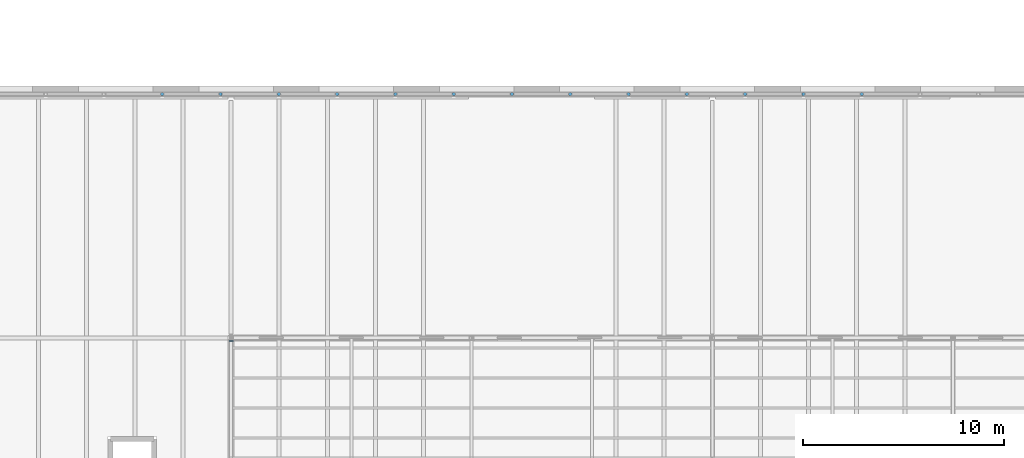
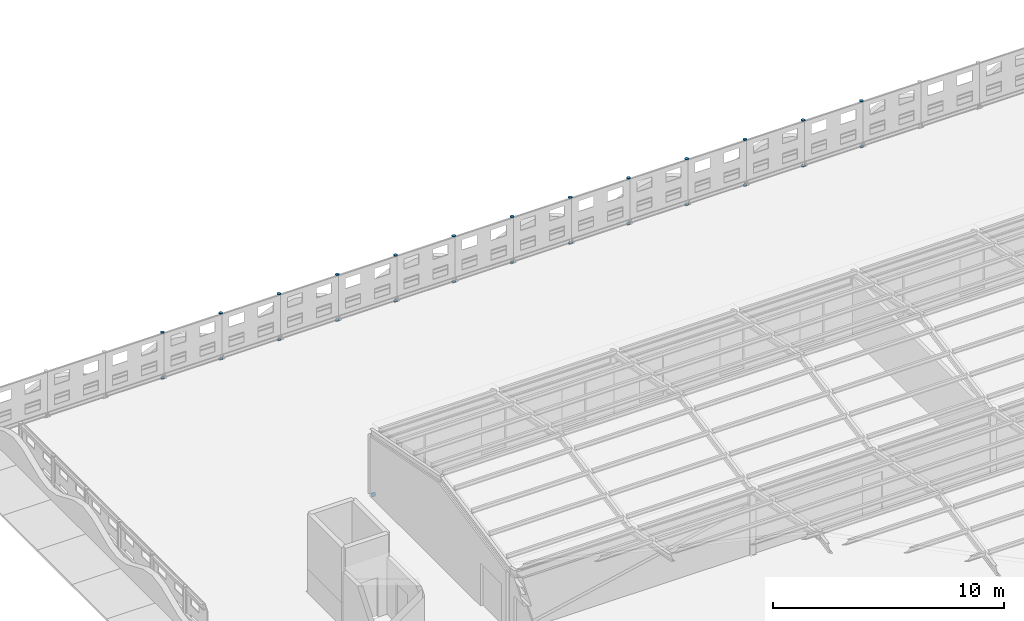
# One storey, part 78 of 91: 27 discrete accessories.
"""IFC4 building model written with IfcOpenShell, lengths in metres."""

import ifcopenshell
import ifcopenshell.guid

model = None  # the IFC model being written
_history = None  # IfcOwnerHistory: only IFC2X3 demands one
_inside = {}  # id of a spatial element -> (the spatial element, [elements in it])
_under = {}  # id of a project, library or spatial element -> (it, [spatial elements below it])
_declared = {}  # id of a project -> (the project, [libraries it declares])
_typed = {}  # id of a type object -> (the type object, [elements of that type])
_made_of = {}  # id of a material, layer set ... -> (it, [elements and type objects made of it])


def new_model(schema):
    """Start an empty IFC model of exactly this schema.

    Asked for "IFC4X3", IfcOpenShell would pick the latest addendum, in which some entities
    have other attributes; the version numbers below select the first issue.
    IFC2X3 requires an IfcOwnerHistory on every rooted entity: one is made here for all.
    """
    global model, _history
    if schema == "IFC4X3":
        model = ifcopenshell.file(schema_version=(4, 3, 0, 0))
    else:
        model = ifcopenshell.file(schema=schema)
    _inside.clear()
    _under.clear()
    _declared.clear()
    _typed.clear()
    _made_of.clear()
    _history = None
    if model.schema == "IFC2X3":
        org = make("IfcOrganization", Name="unknown")
        user = make(
            "IfcPersonAndOrganization",
            ThePerson=make("IfcPerson", FamilyName="unknown"),
            TheOrganization=org,
        )
        app = make(
            "IfcApplication",
            ApplicationDeveloper=org,
            Version="unknown",
            ApplicationFullName="unknown",
            ApplicationIdentifier="unknown",
        )
        _history = make(
            "IfcOwnerHistory",
            OwningUser=user,
            OwningApplication=app,
            ChangeAction="ADDED",
            CreationDate=0,
        )
    return model


def make(cls, **values):
    """One entity of the class cls with the attributes given. An attribute that is None is left unset."""
    return model.create_entity(
        cls, **{name: value for name, value in values.items() if value is not None}
    )


def rooted(cls, **values):
    """An entity with a GlobalId (a new one), such as an element, a storey or a relation."""
    return make(cls, GlobalId=ifcopenshell.guid.new(), OwnerHistory=_history, **values)


def si_unit(unit_type, name, prefix=None):
    """IfcSIUnit, for example si_unit("LENGTHUNIT", "METRE", prefix="MILLI")."""
    return make("IfcSIUnit", UnitType=unit_type, Prefix=prefix, Name=name)


def assignment(units):
    """IfcUnitAssignment: the units of a project."""
    return None if units is None else make("IfcUnitAssignment", Units=units)


def point(xyz):
    """IfcCartesianPoint."""
    return None if xyz is None else make("IfcCartesianPoint", Coordinates=xyz)


def direction(xyz):
    """IfcDirection."""
    return None if xyz is None else make("IfcDirection", DirectionRatios=xyz)


def frame(location, z_axis=None, x_axis=None):
    """IfcAxis2Placement3D, a coordinate frame: its origin and axes. An axis left out is left unset."""
    return make(
        "IfcAxis2Placement3D",
        Location=point(location),
        Axis=direction(z_axis),
        RefDirection=direction(x_axis),
    )


def frame_2d(location, x_axis=None):
    """IfcAxis2Placement2D, a coordinate frame in the plane: its origin and x axis."""
    return make(
        "IfcAxis2Placement2D", Location=point(location), RefDirection=direction(x_axis)
    )


def origin():
    """The frame at (0, 0, 0) with its axes left unset."""
    return frame((0.0, 0.0, 0.0))


def origin_2d():
    """The frame at (0, 0) in the plane with its x axis left unset."""
    return frame_2d((0.0, 0.0))


def place(relative_to, where):
    """IfcLocalPlacement: puts the frame where relative to a parent placement (None: the world)."""
    return make(
        "IfcLocalPlacement", PlacementRelTo=relative_to, RelativePlacement=where
    )


def context(
    kind, dimensions, precision=None, world=None, true_north=None, identifier=None
):
    """IfcGeometricRepresentationContext, for example the 3D "Model" context."""
    return make(
        "IfcGeometricRepresentationContext",
        ContextIdentifier=identifier,
        ContextType=kind,
        CoordinateSpaceDimension=dimensions,
        Precision=precision,
        WorldCoordinateSystem=world,
        TrueNorth=true_north,
    )


def subcontext(parent, identifier, kind, view, scale=None):
    """IfcGeometricRepresentationSubContext, for example "Body" below "Model"."""
    return make(
        "IfcGeometricRepresentationSubContext",
        ContextIdentifier=identifier,
        ContextType=kind,
        ParentContext=parent,
        TargetScale=scale,
        TargetView=view,
    )


def project(units=None, contexts=None):
    """IfcProject with its units and contexts."""
    return rooted(
        "IfcProject",
        Name="project",
        RepresentationContexts=contexts,
        UnitsInContext=assignment(units),
    )


def spatial(cls, under=None, at=None, **own):
    """A site, building, storey or space (cls), placed at a placement, below another one or the project."""
    s = rooted(cls, ObjectPlacement=at, **own)
    if under is not None:
        _under.setdefault(under.id(), (under, []))[1].append(s)
    return s


def profile(cls, at=None, kind="AREA", **sizes):
    """A parametric profile (cls). Its sizes go by their IFC names, for example OverallWidth=200.0."""
    return make(cls, ProfileType=kind, Position=at, **sizes)


def rectangle(**sizes):
    """IfcRectangleProfileDef."""
    return profile("IfcRectangleProfileDef", **sizes)


def circle(**sizes):
    """IfcCircleProfileDef."""
    return profile("IfcCircleProfileDef", **sizes)


def extrude(swept, where, along, depth):
    """IfcExtrudedAreaSolid: the profile swept, set in the frame where, extruded along a direction by depth."""
    return make(
        "IfcExtrudedAreaSolid",
        SweptArea=swept,
        Position=where,
        ExtrudedDirection=direction(along),
        Depth=depth,
    )


def shape(context_of_items, identifier, shape_type, items):
    """IfcShapeRepresentation: the items that make up one representation, for example the "Body"."""
    return make(
        "IfcShapeRepresentation",
        ContextOfItems=context_of_items,
        RepresentationIdentifier=identifier,
        RepresentationType=shape_type,
        Items=items,
    )


def material(Name=None, Category=None):
    """IfcMaterial."""
    return make("IfcMaterial", Name=Name, Category=Category)


def material_profile(
    of_material, cross_section, Name=None, Category=None, Priority=None
):
    """IfcMaterialProfile: a cross section and its material."""
    return make(
        "IfcMaterialProfile",
        Name=Name,
        Material=of_material,
        Profile=cross_section,
        Priority=Priority,
        Category=Category,
    )


def profile_set(profiles, Name=None, composite=None):
    """IfcMaterialProfileSet."""
    return make(
        "IfcMaterialProfileSet",
        Name=Name,
        MaterialProfiles=profiles,
        CompositeProfile=composite,
    )


def made_of(thing, what):
    """Note that an element or type object is made of a material, layer set ...; save() writes the relation."""
    if what is not None:
        _made_of.setdefault(what.id(), (what, []))[1].append(thing)
    return thing


def type_object(cls, material=None, **own):
    """A type object (cls), such as IfcWallType, which elements share."""
    return made_of(rooted(cls, **own), material)


def element(
    cls,
    number,
    at=None,
    inside=None,
    cuts=None,
    type_object=None,
    material=None,
    context=None,
    identifier="Body",
    shape_type=None,
    held_by="IfcProductDefinitionShape",
    body=None,
    shapes=None,
    **own,
):
    """One element of the class cls, such as IfcWall. Its Tag is "e" and its number.

    at: its placement. inside: the storey or other place that contains it. cuts: it is an
    opening in that element (IfcRelVoidsElement). A single representation is given by context,
    identifier, shape_type and body (its items); several are given by shapes. held_by: the class
    of the entity that holds the representations. save() writes the other relations.
    """
    e = rooted(cls, Tag="e%d" % number, ObjectPlacement=at, **own)
    if body is not None:
        shapes = [shape(context, identifier, shape_type, body)]
    if shapes is not None:
        e.Representation = make(held_by, Representations=shapes)
    if inside is not None:
        _inside.setdefault(inside.id(), (inside, []))[1].append(e)
    if cuts is not None:
        rooted(
            "IfcRelVoidsElement", RelatingBuildingElement=cuts, RelatedOpeningElement=e
        )
    if type_object is not None:
        _typed.setdefault(type_object.id(), (type_object, []))[1].append(e)
    return made_of(e, material)


def aggregate(whole, parts):
    """IfcRelAggregates: a whole, such as a stair, and the parts it consists of."""
    return rooted("IfcRelAggregates", RelatingObject=whole, RelatedObjects=parts)


def save(model, path):
    """Write the relations noted so far, then the file.

    IfcRelAggregates (storeys below a building ...), IfcRelContainedInSpatialStructure (elements
    in a storey), IfcRelDefinesByType, IfcRelAssociatesMaterial and IfcRelDeclares: one each for
    every whole, place, type object, material and project.
    """
    for whole, parts in _under.values():
        aggregate(whole, parts)
    for where, things in _inside.values():
        rooted(
            "IfcRelContainedInSpatialStructure",
            RelatedElements=things,
            RelatingStructure=where,
        )
    for kind, things in _typed.values():
        rooted("IfcRelDefinesByType", RelatedObjects=things, RelatingType=kind)
    for what, things in _made_of.values():
        rooted("IfcRelAssociatesMaterial", RelatedObjects=things, RelatingMaterial=what)
    for by, libraries in _declared.values():
        rooted("IfcRelDeclares", RelatingContext=by, RelatedDefinitions=libraries)
    model.write(path)


model = new_model("IFC4")

# Units and contexts
model_context = context("Model", 3, precision=1e-05, world=origin(), true_north=direction((0.0, 1.0)))
body_context = subcontext(model_context, "Body", "Model", "MODEL_VIEW")
ifc_project = project(units=[si_unit("LENGTHUNIT", "METRE"), si_unit("AREAUNIT", "SQUARE_METRE"), si_unit("VOLUMEUNIT", "CUBIC_METRE"), si_unit("PLANEANGLEUNIT", "RADIAN"), si_unit("MASSUNIT", "GRAM", prefix="KILO")], contexts=[model_context])

# Site, building, storey
site_placement = place(None, origin())
site = spatial("IfcSite", under=ifc_project, at=site_placement, CompositionType="ELEMENT")
building_placement = place(site_placement, origin())
building = spatial("IfcBuilding", under=site, at=building_placement, Name="Ravi Spectrum Wholesale Market", CompositionType="ELEMENT")
storey_placement = place(building_placement, frame((0.0, 0.0, 16.199951171875)))
storey = spatial("IfcBuildingStorey", under=building, at=storey_placement, Name="ROOF PLANT LEVEL", CompositionType="ELEMENT", Elevation=16.199951171875)

# Discrete accessories
ifc_material_1 = material(Name="Steel S355", Category="steel")
ifc_material_profile_1 = material_profile(ifc_material_1, circle(Radius=0.084228515625, at=origin_2d()))
ifc_profile_set_1 = profile_set([ifc_material_profile_1], Name="Steel S355")
discrete_accessory_type_1 = type_object("IfcDiscreteAccessoryType", Name="End plate CHS 168.3x6.3", PredefinedType="BRACKET", material=ifc_profile_set_1)
for number, where, z_axis, x_axis, name in (
    (1, (241.453369140625, 66.14990234375, 0.0), (0.0, 0.0, -1.0), (1.0, 0.0, 0.0), "End plate"),
    (2, (241.453369140625, 66.14990234375, 2.400146484375), (0.0, 0.0, 1.0), (1.0, 0.0, 0.0), "End plate"),
    (3, (238.546630859375, 66.14990234375, 0.0), (0.0, 0.0, -1.0), (1.0, 0.0, 0.0), "End plate"),
    (4, (238.546630859375, 66.14990234375, 2.400146484375), (0.0, 0.0, 1.0), (1.0, 0.0, 0.0), "End plate"),
    (5, (235.6396484375, 66.14990234375, 0.0), (0.0, 0.0, -1.0), (1.0, 0.0, 0.0), "End plate"),
    (6, (235.6396484375, 66.14990234375, 2.400146484375), (0.0, 0.0, 1.0), (1.0, 0.0, 0.0), "End plate"),
    (7, (232.732666015625, 66.14990234375, 0.0), (0.0, 0.0, -1.0), (1.0, 0.0, 0.0), "End plate"),
    (8, (232.732666015625, 66.14990234375, 2.400146484375), (0.0, 0.0, 1.0), (1.0, 0.0, 0.0), "End plate"),
    (9, (229.825927734375, 66.14990234375, 0.0), (0.0, 0.0, -1.0), (1.0, 0.0, 0.0), "End plate"),
    (10, (229.825927734375, 66.14990234375, 2.400146484375), (0.0, 0.0, 1.0), (1.0, 0.0, 0.0), "End plate"),
    (11, (226.9189453125, 66.14990234375, 0.0), (0.0, 0.0, -1.0), (1.0, 0.0, 0.0), "End plate"),
    (12, (226.9189453125, 66.14990234375, 2.400146484375), (0.0, 0.0, 1.0), (1.0, 0.0, 0.0), "End plate"),
    (13, (224.011962890625, 66.14990234375, 0.0), (0.0, 0.0, -1.0), (1.0, 0.0, 0.0), "End plate"),
    (14, (224.011962890625, 66.14990234375, 2.400146484375), (0.0, 0.0, 1.0), (1.0, 0.0, 0.0), "End plate"),
    (15, (221.105224609375, 66.14990234375, 0.0), (0.0, 0.0, -1.0), (1.0, 0.0, 0.0), "End plate"),
    (16, (221.105224609375, 66.14990234375, 2.400146484375), (0.0, 0.0, 1.0), (1.0, 0.0, 0.0), "End plate"),
    (17, (218.1982421875, 66.14990234375, 0.0), (0.0, 0.0, -1.0), (1.0, 0.0, 0.0), "End plate"),
    (18, (218.1982421875, 66.14990234375, 2.400146484375), (0.0, 0.0, 1.0), (1.0, 0.0, 0.0), "End plate"),
    (19, (215.291259765625, 66.14990234375, 0.0), (0.0, 0.0, -1.0), (1.0, 0.0, 0.0), "End plate"),
    (20, (215.291259765625, 66.14990234375, 2.400146484375), (0.0, 0.0, 1.0), (1.0, 0.0, 0.0), "End plate"),
    (21, (212.384521484375, 66.14990234375, 0.0), (0.0, 0.0, -1.0), (1.0, 0.0, 0.0), "End plate"),
    (22, (212.384521484375, 66.14990234375, 2.400146484375), (0.0, 0.0, 1.0), (1.0, 0.0, 0.0), "End plate"),
    (23, (209.4775390625, 66.14990234375, 0.0), (0.0, 0.0, -1.0), (1.0, 0.0, 0.0), "End plate"),
    (24, (209.4775390625, 66.14990234375, 2.400146484375), (0.0, 0.0, 1.0), (1.0, 0.0, 0.0), "End plate"),
    (25, (206.57080078125, 66.14990234375, 0.0), (0.0, 0.0, -1.0), (1.0, 0.0, 0.0), "End plate"),
    (26, (206.57080078125, 66.14990234375, 2.400146484375), (0.0, 0.0, 1.0), (1.0, 0.0, 0.0), "End plate"),
):
    element("IfcDiscreteAccessory", number, at=place(storey_placement, frame(where, z_axis=z_axis, x_axis=x_axis)), inside=storey, type_object=discrete_accessory_type_1, Name=name, PredefinedType="BRACKET", context=body_context, shape_type="SweptSolid", body=[
        extrude(circle(Radius=0.084228515625, at=origin_2d()), origin(), (0.0, 0.0, 1.0), 0.011962890625),
    ])
ifc_material_2 = material(Name="Steel S355", Category="steel")
ifc_material_profile_2 = material_profile(ifc_material_2, rectangle(XDim=0.199951171875, YDim=0.199951171875, at=origin_2d()))
ifc_profile_set_2 = profile_set([ifc_material_profile_2], Name="Steel S355")
discrete_accessory_type_2 = type_object("IfcDiscreteAccessoryType", Name="End plate SHS 200x200x8", PredefinedType="BRACKET", material=ifc_profile_set_2)
discrete_accessory_placement = place(storey_placement, frame((210.0, 53.85546875, 0.096923828125), z_axis=(0.0, 0.970142500145, -0.242535625036), x_axis=(-1.0, 0.0, 0.0)))
element("IfcDiscreteAccessory", 27, at=discrete_accessory_placement, inside=storey, type_object=discrete_accessory_type_2, Name="End plate", PredefinedType="BRACKET", context=body_context, shape_type="SweptSolid", body=[
    extrude(rectangle(XDim=0.199951171875, YDim=0.199951171875, at=origin_2d()), origin(), (0.0, 0.0, 1.0), 0.011962890625),
])

save(model, "model.ifc")
